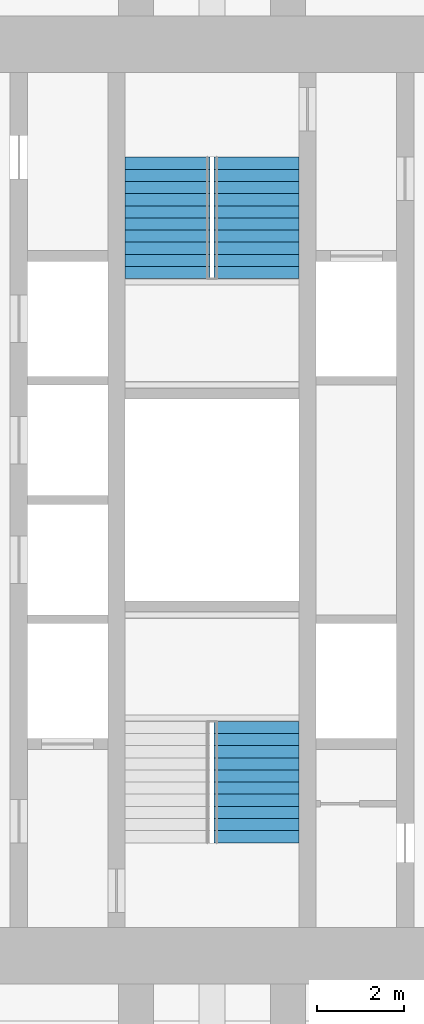
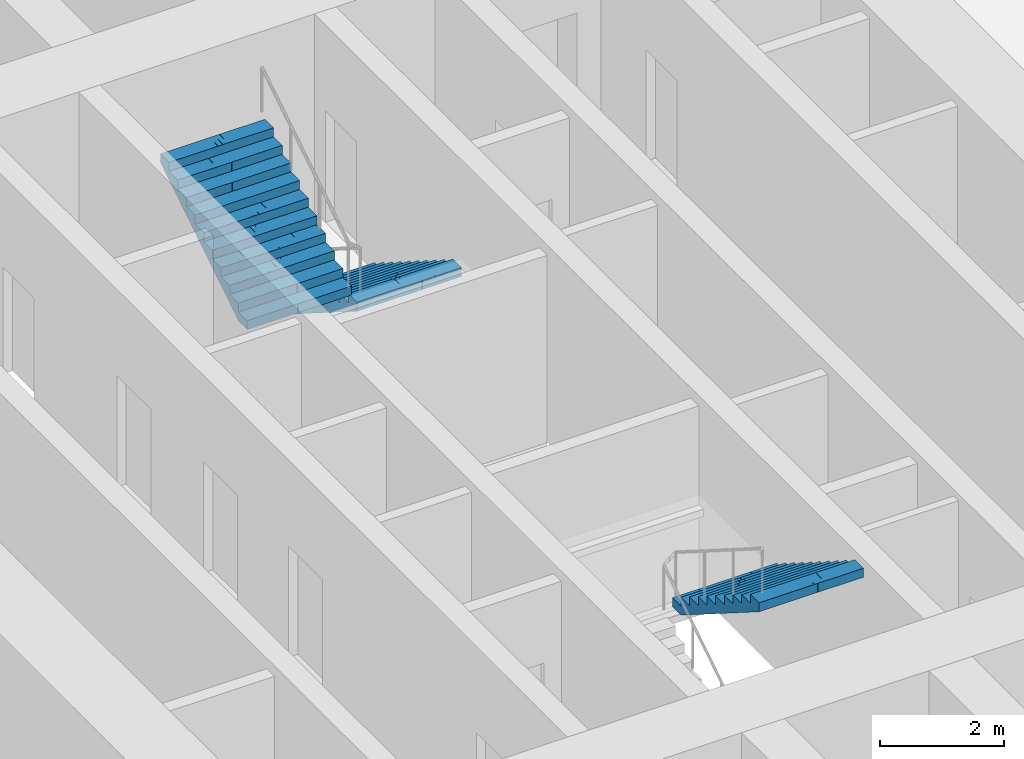
# One storey, part 18 of 19: 3 stair flights, 2 elements without a shape of their own.
"""IFC4 building model written with IfcOpenShell, lengths in metres."""

from ifc_helpers import new_model, si_unit, direction, frame, origin, place, context, subcontext, project, spatial, polyline, outline, extrude, material, type_object, element, aggregate, save


model = new_model("IFC4")

# Units and contexts
model_context = context("Model", 3, precision=1e-05, world=origin(), true_north=direction((0.0, 1.0)))
body_context = subcontext(model_context, "Body", "Model", "MODEL_VIEW")
ifc_project = project(units=[si_unit("LENGTHUNIT", "METRE"), si_unit("AREAUNIT", "SQUARE_METRE"), si_unit("VOLUMEUNIT", "CUBIC_METRE"), si_unit("PLANEANGLEUNIT", "RADIAN"), si_unit("MASSUNIT", "GRAM", prefix="KILO")], contexts=[model_context])

# Site, building, storey
site_placement = place(None, origin())
site = spatial("IfcSite", under=ifc_project, at=site_placement, CompositionType="ELEMENT")
building_placement = place(site_placement, origin())
building = spatial("IfcBuilding", under=site, at=building_placement, Name="Mizan Broadcast Tower", CompositionType="ELEMENT")
storey_placement = place(building_placement, frame((0.0, 0.0, 186.60009765625)))
storey = spatial("IfcBuildingStorey", under=building, at=storey_placement, Name="L43", CompositionType="ELEMENT", Elevation=186.60009765625)

# Stair, stair flight
ifc_material_1 = material(Name="Concrete C40/50", Category="concrete")
stair_type = type_object("IfcStairType", Name="EXIT STAIR", PredefinedType="HALF_TURN_STAIR", material=ifc_material_1)
stair_1_placement = place(storey_placement, origin())
stair_1 = element("IfcStair", 1, at=stair_1_placement, inside=storey, type_object=stair_type, Name="Stair A L43", PredefinedType="HALF_TURN_STAIR")
ifc_material_2 = material(Name="Concrete C40/50", Category="concrete")
stair_flight_type = type_object("IfcStairFlightType", Name="EXIT STAIR FLIGHT", PredefinedType="STRAIGHT", material=ifc_material_2)
stair_flight_1_placement = place(storey_placement, frame((1.02490234375, -5.10009765625, 1.949951171875), z_axis=(0.0, 0.0, 1.0), x_axis=(0.0, -1.0, 0.0)))
stair_flight_1 = element("IfcStairFlight", 2, at=stair_flight_1_placement, type_object=stair_flight_type, Name="A flight 2", NumberOfRisers=11, NumberOfTreads=10, PredefinedType="STRAIGHT", RiserHeight=0.177272727, TreadLength=0.28, context=body_context, shape_type="SweptSolid", body=[
    extrude(outline(polyline([(0.0, 0.0), (0.0, 0.17724609375), (0.280029296875, 0.17724609375), (0.280029296875, 0.3544921875), (0.56005859375, 0.3544921875), (0.56005859375, 0.53173828125), (0.840087890625, 0.53173828125), (0.840087890625, 0.708984375), (1.1201171875, 0.708984375), (1.1201171875, 0.886474609375), (1.39990234375, 0.886474609375), (1.39990234375, 1.063720703125), (1.679931640625, 1.063720703125), (1.679931640625, 1.240966796875), (1.9599609375, 1.240966796875), (1.9599609375, 1.418212890625), (2.239990234375, 1.418212890625), (2.239990234375, 1.595458984375), (2.52001953125, 1.595458984375), (2.52001953125, 1.772705078125), (2.800048828125, 1.772705078125), (2.800048828125, 1.949951171875), (2.800048828125, 1.59521484375), (0.2802734375, 0.0), (0.0, 0.0)])), frame((0.0, 0.97509765625, 0.0), z_axis=(0.0, -1.0, 0.0), x_axis=(1.0, 0.0, 0.0)), (0.0, 0.0, 1.0), 0.4873046875),
    extrude(outline(polyline([(0.0, 0.0), (0.0, 0.17724609375), (0.280029296875, 0.17724609375), (0.280029296875, 0.3544921875), (0.56005859375, 0.3544921875), (0.56005859375, 0.53173828125), (0.840087890625, 0.53173828125), (0.840087890625, 0.708984375), (1.1201171875, 0.708984375), (1.1201171875, 0.886474609375), (1.39990234375, 0.886474609375), (1.39990234375, 1.063720703125), (1.679931640625, 1.063720703125), (1.679931640625, 1.240966796875), (1.9599609375, 1.240966796875), (1.9599609375, 1.418212890625), (2.239990234375, 1.418212890625), (2.239990234375, 1.595458984375), (2.52001953125, 1.595458984375), (2.52001953125, 1.772705078125), (2.800048828125, 1.772705078125), (2.800048828125, 1.949951171875), (2.800048828125, 1.59521484375), (0.2802734375, 0.0), (0.0, 0.0)])), frame((0.0, 0.4873046875, 0.0), z_axis=(0.0, -1.0, 0.0), x_axis=(1.0, 0.0, 0.0)), (0.0, 0.0, 1.0), 0.2431640625),
    extrude(outline(polyline([(0.0, 0.0), (0.0, 0.17724609375), (0.280029296875, 0.17724609375), (0.280029296875, 0.3544921875), (0.56005859375, 0.3544921875), (0.56005859375, 0.53173828125), (0.840087890625, 0.53173828125), (0.840087890625, 0.708984375), (1.1201171875, 0.708984375), (1.1201171875, 0.886474609375), (1.39990234375, 0.886474609375), (1.39990234375, 1.063720703125), (1.679931640625, 1.063720703125), (1.679931640625, 1.240966796875), (1.9599609375, 1.240966796875), (1.9599609375, 1.418212890625), (2.239990234375, 1.418212890625), (2.239990234375, 1.595458984375), (2.52001953125, 1.595458984375), (2.52001953125, 1.772705078125), (2.800048828125, 1.772705078125), (2.800048828125, 1.949951171875), (2.800048828125, 1.59521484375), (0.2802734375, 0.0), (0.0, 0.0)])), frame((0.0, 0.24365234375, 0.0), z_axis=(0.0, -1.0, 0.0), x_axis=(1.0, 0.0, 0.0)), (0.0, 0.0, 1.0), 0.121337890625),
    extrude(outline(polyline([(0.0, 0.0), (0.0, 0.17724609375), (0.280029296875, 0.17724609375), (0.280029296875, 0.3544921875), (0.56005859375, 0.3544921875), (0.56005859375, 0.53173828125), (0.840087890625, 0.53173828125), (0.840087890625, 0.708984375), (1.1201171875, 0.708984375), (1.1201171875, 0.886474609375), (1.39990234375, 0.886474609375), (1.39990234375, 1.063720703125), (1.679931640625, 1.063720703125), (1.679931640625, 1.240966796875), (1.9599609375, 1.240966796875), (1.9599609375, 1.418212890625), (2.239990234375, 1.418212890625), (2.239990234375, 1.595458984375), (2.52001953125, 1.595458984375), (2.52001953125, 1.772705078125), (2.800048828125, 1.772705078125), (2.800048828125, 1.949951171875), (2.800048828125, 1.59521484375), (0.2802734375, 0.0), (0.0, 0.0)])), frame((0.0, 0.121826171875, 0.0), z_axis=(0.0, -1.0, 0.0), x_axis=(1.0, 0.0, 0.0)), (0.0, 0.0, 1.0), 0.060546875),
    extrude(outline(polyline([(0.0, 0.0), (0.0, 0.17724609375), (0.280029296875, 0.17724609375), (0.280029296875, 0.3544921875), (0.56005859375, 0.3544921875), (0.56005859375, 0.53173828125), (0.840087890625, 0.53173828125), (0.840087890625, 0.708984375), (1.1201171875, 0.708984375), (1.1201171875, 0.886474609375), (1.39990234375, 0.886474609375), (1.39990234375, 1.063720703125), (1.679931640625, 1.063720703125), (1.679931640625, 1.240966796875), (1.9599609375, 1.240966796875), (1.9599609375, 1.418212890625), (2.239990234375, 1.418212890625), (2.239990234375, 1.595458984375), (2.52001953125, 1.595458984375), (2.52001953125, 1.772705078125), (2.800048828125, 1.772705078125), (2.800048828125, 1.949951171875), (2.800048828125, 1.59521484375), (0.2802734375, 0.0), (0.0, 0.0)])), frame((0.0, 0.060791015625, 0.0), z_axis=(0.0, -1.0, 0.0), x_axis=(1.0, 0.0, 0.0)), (0.0, 0.0, 1.0), 0.030029296875),
    extrude(outline(polyline([(0.0, 0.0), (0.0, 0.17724609375), (0.280029296875, 0.17724609375), (0.280029296875, 0.3544921875), (0.56005859375, 0.3544921875), (0.56005859375, 0.53173828125), (0.840087890625, 0.53173828125), (0.840087890625, 0.708984375), (1.1201171875, 0.708984375), (1.1201171875, 0.886474609375), (1.39990234375, 0.886474609375), (1.39990234375, 1.063720703125), (1.679931640625, 1.063720703125), (1.679931640625, 1.240966796875), (1.9599609375, 1.240966796875), (1.9599609375, 1.418212890625), (2.239990234375, 1.418212890625), (2.239990234375, 1.595458984375), (2.52001953125, 1.595458984375), (2.52001953125, 1.772705078125), (2.800048828125, 1.772705078125), (2.800048828125, 1.949951171875), (2.800048828125, 1.59521484375), (0.2802734375, 0.0), (0.0, 0.0)])), frame((0.0, 0.0302734375, 0.0), z_axis=(0.0, -1.0, 0.0), x_axis=(1.0, 0.0, 0.0)), (0.0, 0.0, 1.0), 0.060302734375),
    extrude(outline(polyline([(0.0, 0.0), (0.0, 0.17724609375), (0.280029296875, 0.17724609375), (0.280029296875, 0.3544921875), (0.56005859375, 0.3544921875), (0.56005859375, 0.53173828125), (0.840087890625, 0.53173828125), (0.840087890625, 0.708984375), (1.1201171875, 0.708984375), (1.1201171875, 0.886474609375), (1.39990234375, 0.886474609375), (1.39990234375, 1.063720703125), (1.679931640625, 1.063720703125), (1.679931640625, 1.240966796875), (1.9599609375, 1.240966796875), (1.9599609375, 1.418212890625), (2.239990234375, 1.418212890625), (2.239990234375, 1.595458984375), (2.52001953125, 1.595458984375), (2.52001953125, 1.772705078125), (2.800048828125, 1.772705078125), (2.800048828125, 1.949951171875), (2.800048828125, 1.59521484375), (0.2802734375, 0.0), (0.0, 0.0)])), frame((0.0, -0.030517578125, 0.0), z_axis=(0.0, -1.0, 0.0), x_axis=(1.0, 0.0, 0.0)), (0.0, 0.0, 1.0), 0.030029296875),
    extrude(outline(polyline([(0.0, 0.0), (0.0, 0.17724609375), (0.280029296875, 0.17724609375), (0.280029296875, 0.3544921875), (0.56005859375, 0.3544921875), (0.56005859375, 0.53173828125), (0.840087890625, 0.53173828125), (0.840087890625, 0.708984375), (1.1201171875, 0.708984375), (1.1201171875, 0.886474609375), (1.39990234375, 0.886474609375), (1.39990234375, 1.063720703125), (1.679931640625, 1.063720703125), (1.679931640625, 1.240966796875), (1.9599609375, 1.240966796875), (1.9599609375, 1.418212890625), (2.239990234375, 1.418212890625), (2.239990234375, 1.595458984375), (2.52001953125, 1.595458984375), (2.52001953125, 1.772705078125), (2.800048828125, 1.772705078125), (2.800048828125, 1.949951171875), (2.800048828125, 1.59521484375), (0.2802734375, 0.0), (0.0, 0.0)])), frame((0.0, -0.06103515625, 0.0), z_axis=(0.0, -1.0, 0.0), x_axis=(1.0, 0.0, 0.0)), (0.0, 0.0, 1.0), 0.060546875),
    extrude(outline(polyline([(0.0, 0.0), (0.0, 0.17724609375), (0.280029296875, 0.17724609375), (0.280029296875, 0.3544921875), (0.56005859375, 0.3544921875), (0.56005859375, 0.53173828125), (0.840087890625, 0.53173828125), (0.840087890625, 0.708984375), (1.1201171875, 0.708984375), (1.1201171875, 0.886474609375), (1.39990234375, 0.886474609375), (1.39990234375, 1.063720703125), (1.679931640625, 1.063720703125), (1.679931640625, 1.240966796875), (1.9599609375, 1.240966796875), (1.9599609375, 1.418212890625), (2.239990234375, 1.418212890625), (2.239990234375, 1.595458984375), (2.52001953125, 1.595458984375), (2.52001953125, 1.772705078125), (2.800048828125, 1.772705078125), (2.800048828125, 1.949951171875), (2.800048828125, 1.59521484375), (0.2802734375, 0.0), (0.0, 0.0)])), frame((0.0, -0.1220703125, 0.0), z_axis=(0.0, -1.0, 0.0), x_axis=(1.0, 0.0, 0.0)), (0.0, 0.0, 1.0), 0.121337890625),
    extrude(outline(polyline([(0.0, 0.0), (0.0, 0.17724609375), (0.280029296875, 0.17724609375), (0.280029296875, 0.3544921875), (0.56005859375, 0.3544921875), (0.56005859375, 0.53173828125), (0.840087890625, 0.53173828125), (0.840087890625, 0.708984375), (1.1201171875, 0.708984375), (1.1201171875, 0.886474609375), (1.39990234375, 0.886474609375), (1.39990234375, 1.063720703125), (1.679931640625, 1.063720703125), (1.679931640625, 1.240966796875), (1.9599609375, 1.240966796875), (1.9599609375, 1.418212890625), (2.239990234375, 1.418212890625), (2.239990234375, 1.595458984375), (2.52001953125, 1.595458984375), (2.52001953125, 1.772705078125), (2.800048828125, 1.772705078125), (2.800048828125, 1.949951171875), (2.800048828125, 1.59521484375), (0.2802734375, 0.0), (0.0, 0.0)])), frame((0.0, -0.243896484375, 0.0), z_axis=(0.0, -1.0, 0.0), x_axis=(1.0, 0.0, 0.0)), (0.0, 0.0, 1.0), 0.2431640625),
    extrude(outline(polyline([(0.0, 0.0), (0.0, 0.17724609375), (0.280029296875, 0.17724609375), (0.280029296875, 0.3544921875), (0.56005859375, 0.3544921875), (0.56005859375, 0.53173828125), (0.840087890625, 0.53173828125), (0.840087890625, 0.708984375), (1.1201171875, 0.708984375), (1.1201171875, 0.886474609375), (1.39990234375, 0.886474609375), (1.39990234375, 1.063720703125), (1.679931640625, 1.063720703125), (1.679931640625, 1.240966796875), (1.9599609375, 1.240966796875), (1.9599609375, 1.418212890625), (2.239990234375, 1.418212890625), (2.239990234375, 1.595458984375), (2.52001953125, 1.595458984375), (2.52001953125, 1.772705078125), (2.800048828125, 1.772705078125), (2.800048828125, 1.949951171875), (2.800048828125, 1.59521484375), (0.2802734375, 0.0), (0.0, 0.0)])), frame((0.0, -0.487548828125, 0.0), z_axis=(0.0, -1.0, 0.0), x_axis=(1.0, 0.0, 0.0)), (0.0, 0.0, 1.0), 0.4873046875),
])
aggregate(stair_1, [stair_flight_1])

# Stair, stair flights
stair_2_placement = place(storey_placement, origin())
stair_2 = element("IfcStair", 3, at=stair_2_placement, inside=storey, type_object=stair_type, Name="Stair B L43", PredefinedType="HALF_TURN_STAIR")
stair_flight_2_placement = place(storey_placement, frame((1.02490234375, 7.89990234375, 0.0), z_axis=(0.0, 0.0, 1.0), x_axis=(0.0, -1.0, 0.0)))
stair_flight_2 = element("IfcStairFlight", 4, at=stair_flight_2_placement, type_object=stair_flight_type, Name="B flight 1", NumberOfRisers=11, NumberOfTreads=10, PredefinedType="STRAIGHT", RiserHeight=0.177272727, TreadLength=0.28, context=body_context, shape_type="SweptSolid", body=[
    extrude(outline(polyline([(0.0, 0.0), (0.0, 0.17724609375), (0.280029296875, 0.17724609375), (0.280029296875, 0.3544921875), (0.56005859375, 0.3544921875), (0.56005859375, 0.53173828125), (0.840087890625, 0.53173828125), (0.840087890625, 0.708984375), (1.1201171875, 0.708984375), (1.1201171875, 0.886474609375), (1.39990234375, 0.886474609375), (1.39990234375, 1.063720703125), (1.679931640625, 1.063720703125), (1.679931640625, 1.240966796875), (1.9599609375, 1.240966796875), (1.9599609375, 1.418212890625), (2.239990234375, 1.418212890625), (2.239990234375, 1.595458984375), (2.52001953125, 1.595458984375), (2.52001953125, 1.772705078125), (2.800048828125, 1.772705078125), (2.800048828125, 1.949951171875), (2.800048828125, 1.59521484375), (0.2802734375, 0.0), (0.0, 0.0)])), frame((0.0, 0.97509765625, 0.0), z_axis=(0.0, -1.0, 0.0), x_axis=(1.0, 0.0, 0.0)), (0.0, 0.0, 1.0), 0.4873046875),
    extrude(outline(polyline([(0.0, 0.0), (0.0, 0.17724609375), (0.280029296875, 0.17724609375), (0.280029296875, 0.3544921875), (0.56005859375, 0.3544921875), (0.56005859375, 0.53173828125), (0.840087890625, 0.53173828125), (0.840087890625, 0.708984375), (1.1201171875, 0.708984375), (1.1201171875, 0.886474609375), (1.39990234375, 0.886474609375), (1.39990234375, 1.063720703125), (1.679931640625, 1.063720703125), (1.679931640625, 1.240966796875), (1.9599609375, 1.240966796875), (1.9599609375, 1.418212890625), (2.239990234375, 1.418212890625), (2.239990234375, 1.595458984375), (2.52001953125, 1.595458984375), (2.52001953125, 1.772705078125), (2.800048828125, 1.772705078125), (2.800048828125, 1.949951171875), (2.800048828125, 1.59521484375), (0.2802734375, 0.0), (0.0, 0.0)])), frame((0.0, 0.4873046875, 0.0), z_axis=(0.0, -1.0, 0.0), x_axis=(1.0, 0.0, 0.0)), (0.0, 0.0, 1.0), 0.2431640625),
    extrude(outline(polyline([(0.0, 0.0), (0.0, 0.17724609375), (0.280029296875, 0.17724609375), (0.280029296875, 0.3544921875), (0.56005859375, 0.3544921875), (0.56005859375, 0.53173828125), (0.840087890625, 0.53173828125), (0.840087890625, 0.708984375), (1.1201171875, 0.708984375), (1.1201171875, 0.886474609375), (1.39990234375, 0.886474609375), (1.39990234375, 1.063720703125), (1.679931640625, 1.063720703125), (1.679931640625, 1.240966796875), (1.9599609375, 1.240966796875), (1.9599609375, 1.418212890625), (2.239990234375, 1.418212890625), (2.239990234375, 1.595458984375), (2.52001953125, 1.595458984375), (2.52001953125, 1.772705078125), (2.800048828125, 1.772705078125), (2.800048828125, 1.949951171875), (2.800048828125, 1.59521484375), (0.2802734375, 0.0), (0.0, 0.0)])), frame((0.0, 0.24365234375, 0.0), z_axis=(0.0, -1.0, 0.0), x_axis=(1.0, 0.0, 0.0)), (0.0, 0.0, 1.0), 0.121337890625),
    extrude(outline(polyline([(0.0, 0.0), (0.0, 0.17724609375), (0.280029296875, 0.17724609375), (0.280029296875, 0.3544921875), (0.56005859375, 0.3544921875), (0.56005859375, 0.53173828125), (0.840087890625, 0.53173828125), (0.840087890625, 0.708984375), (1.1201171875, 0.708984375), (1.1201171875, 0.886474609375), (1.39990234375, 0.886474609375), (1.39990234375, 1.063720703125), (1.679931640625, 1.063720703125), (1.679931640625, 1.240966796875), (1.9599609375, 1.240966796875), (1.9599609375, 1.418212890625), (2.239990234375, 1.418212890625), (2.239990234375, 1.595458984375), (2.52001953125, 1.595458984375), (2.52001953125, 1.772705078125), (2.800048828125, 1.772705078125), (2.800048828125, 1.949951171875), (2.800048828125, 1.59521484375), (0.2802734375, 0.0), (0.0, 0.0)])), frame((0.0, 0.121826171875, 0.0), z_axis=(0.0, -1.0, 0.0), x_axis=(1.0, 0.0, 0.0)), (0.0, 0.0, 1.0), 0.060546875),
    extrude(outline(polyline([(0.0, 0.0), (0.0, 0.17724609375), (0.280029296875, 0.17724609375), (0.280029296875, 0.3544921875), (0.56005859375, 0.3544921875), (0.56005859375, 0.53173828125), (0.840087890625, 0.53173828125), (0.840087890625, 0.708984375), (1.1201171875, 0.708984375), (1.1201171875, 0.886474609375), (1.39990234375, 0.886474609375), (1.39990234375, 1.063720703125), (1.679931640625, 1.063720703125), (1.679931640625, 1.240966796875), (1.9599609375, 1.240966796875), (1.9599609375, 1.418212890625), (2.239990234375, 1.418212890625), (2.239990234375, 1.595458984375), (2.52001953125, 1.595458984375), (2.52001953125, 1.772705078125), (2.800048828125, 1.772705078125), (2.800048828125, 1.949951171875), (2.800048828125, 1.59521484375), (0.2802734375, 0.0), (0.0, 0.0)])), frame((0.0, 0.060791015625, 0.0), z_axis=(0.0, -1.0, 0.0), x_axis=(1.0, 0.0, 0.0)), (0.0, 0.0, 1.0), 0.030029296875),
    extrude(outline(polyline([(0.0, 0.0), (0.0, 0.17724609375), (0.280029296875, 0.17724609375), (0.280029296875, 0.3544921875), (0.56005859375, 0.3544921875), (0.56005859375, 0.53173828125), (0.840087890625, 0.53173828125), (0.840087890625, 0.708984375), (1.1201171875, 0.708984375), (1.1201171875, 0.886474609375), (1.39990234375, 0.886474609375), (1.39990234375, 1.063720703125), (1.679931640625, 1.063720703125), (1.679931640625, 1.240966796875), (1.9599609375, 1.240966796875), (1.9599609375, 1.418212890625), (2.239990234375, 1.418212890625), (2.239990234375, 1.595458984375), (2.52001953125, 1.595458984375), (2.52001953125, 1.772705078125), (2.800048828125, 1.772705078125), (2.800048828125, 1.949951171875), (2.800048828125, 1.59521484375), (0.2802734375, 0.0), (0.0, 0.0)])), frame((0.0, 0.0302734375, 0.0), z_axis=(0.0, -1.0, 0.0), x_axis=(1.0, 0.0, 0.0)), (0.0, 0.0, 1.0), 0.060302734375),
    extrude(outline(polyline([(0.0, 0.0), (0.0, 0.17724609375), (0.280029296875, 0.17724609375), (0.280029296875, 0.3544921875), (0.56005859375, 0.3544921875), (0.56005859375, 0.53173828125), (0.840087890625, 0.53173828125), (0.840087890625, 0.708984375), (1.1201171875, 0.708984375), (1.1201171875, 0.886474609375), (1.39990234375, 0.886474609375), (1.39990234375, 1.063720703125), (1.679931640625, 1.063720703125), (1.679931640625, 1.240966796875), (1.9599609375, 1.240966796875), (1.9599609375, 1.418212890625), (2.239990234375, 1.418212890625), (2.239990234375, 1.595458984375), (2.52001953125, 1.595458984375), (2.52001953125, 1.772705078125), (2.800048828125, 1.772705078125), (2.800048828125, 1.949951171875), (2.800048828125, 1.59521484375), (0.2802734375, 0.0), (0.0, 0.0)])), frame((0.0, -0.030517578125, 0.0), z_axis=(0.0, -1.0, 0.0), x_axis=(1.0, 0.0, 0.0)), (0.0, 0.0, 1.0), 0.030029296875),
    extrude(outline(polyline([(0.0, 0.0), (0.0, 0.17724609375), (0.280029296875, 0.17724609375), (0.280029296875, 0.3544921875), (0.56005859375, 0.3544921875), (0.56005859375, 0.53173828125), (0.840087890625, 0.53173828125), (0.840087890625, 0.708984375), (1.1201171875, 0.708984375), (1.1201171875, 0.886474609375), (1.39990234375, 0.886474609375), (1.39990234375, 1.063720703125), (1.679931640625, 1.063720703125), (1.679931640625, 1.240966796875), (1.9599609375, 1.240966796875), (1.9599609375, 1.418212890625), (2.239990234375, 1.418212890625), (2.239990234375, 1.595458984375), (2.52001953125, 1.595458984375), (2.52001953125, 1.772705078125), (2.800048828125, 1.772705078125), (2.800048828125, 1.949951171875), (2.800048828125, 1.59521484375), (0.2802734375, 0.0), (0.0, 0.0)])), frame((0.0, -0.06103515625, 0.0), z_axis=(0.0, -1.0, 0.0), x_axis=(1.0, 0.0, 0.0)), (0.0, 0.0, 1.0), 0.060546875),
    extrude(outline(polyline([(0.0, 0.0), (0.0, 0.17724609375), (0.280029296875, 0.17724609375), (0.280029296875, 0.3544921875), (0.56005859375, 0.3544921875), (0.56005859375, 0.53173828125), (0.840087890625, 0.53173828125), (0.840087890625, 0.708984375), (1.1201171875, 0.708984375), (1.1201171875, 0.886474609375), (1.39990234375, 0.886474609375), (1.39990234375, 1.063720703125), (1.679931640625, 1.063720703125), (1.679931640625, 1.240966796875), (1.9599609375, 1.240966796875), (1.9599609375, 1.418212890625), (2.239990234375, 1.418212890625), (2.239990234375, 1.595458984375), (2.52001953125, 1.595458984375), (2.52001953125, 1.772705078125), (2.800048828125, 1.772705078125), (2.800048828125, 1.949951171875), (2.800048828125, 1.59521484375), (0.2802734375, 0.0), (0.0, 0.0)])), frame((0.0, -0.1220703125, 0.0), z_axis=(0.0, -1.0, 0.0), x_axis=(1.0, 0.0, 0.0)), (0.0, 0.0, 1.0), 0.121337890625),
    extrude(outline(polyline([(0.0, 0.0), (0.0, 0.17724609375), (0.280029296875, 0.17724609375), (0.280029296875, 0.3544921875), (0.56005859375, 0.3544921875), (0.56005859375, 0.53173828125), (0.840087890625, 0.53173828125), (0.840087890625, 0.708984375), (1.1201171875, 0.708984375), (1.1201171875, 0.886474609375), (1.39990234375, 0.886474609375), (1.39990234375, 1.063720703125), (1.679931640625, 1.063720703125), (1.679931640625, 1.240966796875), (1.9599609375, 1.240966796875), (1.9599609375, 1.418212890625), (2.239990234375, 1.418212890625), (2.239990234375, 1.595458984375), (2.52001953125, 1.595458984375), (2.52001953125, 1.772705078125), (2.800048828125, 1.772705078125), (2.800048828125, 1.949951171875), (2.800048828125, 1.59521484375), (0.2802734375, 0.0), (0.0, 0.0)])), frame((0.0, -0.243896484375, 0.0), z_axis=(0.0, -1.0, 0.0), x_axis=(1.0, 0.0, 0.0)), (0.0, 0.0, 1.0), 0.2431640625),
    extrude(outline(polyline([(0.0, 0.0), (0.0, 0.17724609375), (0.280029296875, 0.17724609375), (0.280029296875, 0.3544921875), (0.56005859375, 0.3544921875), (0.56005859375, 0.53173828125), (0.840087890625, 0.53173828125), (0.840087890625, 0.708984375), (1.1201171875, 0.708984375), (1.1201171875, 0.886474609375), (1.39990234375, 0.886474609375), (1.39990234375, 1.063720703125), (1.679931640625, 1.063720703125), (1.679931640625, 1.240966796875), (1.9599609375, 1.240966796875), (1.9599609375, 1.418212890625), (2.239990234375, 1.418212890625), (2.239990234375, 1.595458984375), (2.52001953125, 1.595458984375), (2.52001953125, 1.772705078125), (2.800048828125, 1.772705078125), (2.800048828125, 1.949951171875), (2.800048828125, 1.59521484375), (0.2802734375, 0.0), (0.0, 0.0)])), frame((0.0, -0.487548828125, 0.0), z_axis=(0.0, -1.0, 0.0), x_axis=(1.0, 0.0, 0.0)), (0.0, 0.0, 1.0), 0.4873046875),
])
stair_flight_3_placement = place(storey_placement, frame((-1.02490234375, 5.10009765625, 1.949951171875), z_axis=(0.0, 0.0, 1.0), x_axis=(0.0, 1.0, 0.0)))
stair_flight_3 = element("IfcStairFlight", 5, at=stair_flight_3_placement, type_object=stair_flight_type, Name="B flight 2", NumberOfRisers=11, NumberOfTreads=10, PredefinedType="STRAIGHT", RiserHeight=0.177272727, TreadLength=0.28, context=body_context, shape_type="SweptSolid", body=[
    extrude(outline(polyline([(0.0, 0.0), (0.0, 0.17724609375), (0.280029296875, 0.17724609375), (0.280029296875, 0.3544921875), (0.56005859375, 0.3544921875), (0.56005859375, 0.53173828125), (0.840087890625, 0.53173828125), (0.840087890625, 0.708984375), (1.1201171875, 0.708984375), (1.1201171875, 0.886474609375), (1.39990234375, 0.886474609375), (1.39990234375, 1.063720703125), (1.679931640625, 1.063720703125), (1.679931640625, 1.240966796875), (1.9599609375, 1.240966796875), (1.9599609375, 1.418212890625), (2.239990234375, 1.418212890625), (2.239990234375, 1.595458984375), (2.52001953125, 1.595458984375), (2.52001953125, 1.772705078125), (2.800048828125, 1.772705078125), (2.800048828125, 1.949951171875), (2.800048828125, 1.59521484375), (0.2802734375, 0.0), (0.0, 0.0)])), frame((0.0, 0.97509765625, 0.0), z_axis=(0.0, -1.0, 0.0), x_axis=(1.0, 0.0, 0.0)), (0.0, 0.0, 1.0), 0.4873046875),
    extrude(outline(polyline([(0.0, 0.0), (0.0, 0.17724609375), (0.280029296875, 0.17724609375), (0.280029296875, 0.3544921875), (0.56005859375, 0.3544921875), (0.56005859375, 0.53173828125), (0.840087890625, 0.53173828125), (0.840087890625, 0.708984375), (1.1201171875, 0.708984375), (1.1201171875, 0.886474609375), (1.39990234375, 0.886474609375), (1.39990234375, 1.063720703125), (1.679931640625, 1.063720703125), (1.679931640625, 1.240966796875), (1.9599609375, 1.240966796875), (1.9599609375, 1.418212890625), (2.239990234375, 1.418212890625), (2.239990234375, 1.595458984375), (2.52001953125, 1.595458984375), (2.52001953125, 1.772705078125), (2.800048828125, 1.772705078125), (2.800048828125, 1.949951171875), (2.800048828125, 1.59521484375), (0.2802734375, 0.0), (0.0, 0.0)])), frame((0.0, 0.4873046875, 0.0), z_axis=(0.0, -1.0, 0.0), x_axis=(1.0, 0.0, 0.0)), (0.0, 0.0, 1.0), 0.2431640625),
    extrude(outline(polyline([(0.0, 0.0), (0.0, 0.17724609375), (0.280029296875, 0.17724609375), (0.280029296875, 0.3544921875), (0.56005859375, 0.3544921875), (0.56005859375, 0.53173828125), (0.840087890625, 0.53173828125), (0.840087890625, 0.708984375), (1.1201171875, 0.708984375), (1.1201171875, 0.886474609375), (1.39990234375, 0.886474609375), (1.39990234375, 1.063720703125), (1.679931640625, 1.063720703125), (1.679931640625, 1.240966796875), (1.9599609375, 1.240966796875), (1.9599609375, 1.418212890625), (2.239990234375, 1.418212890625), (2.239990234375, 1.595458984375), (2.52001953125, 1.595458984375), (2.52001953125, 1.772705078125), (2.800048828125, 1.772705078125), (2.800048828125, 1.949951171875), (2.800048828125, 1.59521484375), (0.2802734375, 0.0), (0.0, 0.0)])), frame((0.0, 0.24365234375, 0.0), z_axis=(0.0, -1.0, 0.0), x_axis=(1.0, 0.0, 0.0)), (0.0, 0.0, 1.0), 0.121337890625),
    extrude(outline(polyline([(0.0, 0.0), (0.0, 0.17724609375), (0.280029296875, 0.17724609375), (0.280029296875, 0.3544921875), (0.56005859375, 0.3544921875), (0.56005859375, 0.53173828125), (0.840087890625, 0.53173828125), (0.840087890625, 0.708984375), (1.1201171875, 0.708984375), (1.1201171875, 0.886474609375), (1.39990234375, 0.886474609375), (1.39990234375, 1.063720703125), (1.679931640625, 1.063720703125), (1.679931640625, 1.240966796875), (1.9599609375, 1.240966796875), (1.9599609375, 1.418212890625), (2.239990234375, 1.418212890625), (2.239990234375, 1.595458984375), (2.52001953125, 1.595458984375), (2.52001953125, 1.772705078125), (2.800048828125, 1.772705078125), (2.800048828125, 1.949951171875), (2.800048828125, 1.59521484375), (0.2802734375, 0.0), (0.0, 0.0)])), frame((0.0, 0.121826171875, 0.0), z_axis=(0.0, -1.0, 0.0), x_axis=(1.0, 0.0, 0.0)), (0.0, 0.0, 1.0), 0.060546875),
    extrude(outline(polyline([(0.0, 0.0), (0.0, 0.17724609375), (0.280029296875, 0.17724609375), (0.280029296875, 0.3544921875), (0.56005859375, 0.3544921875), (0.56005859375, 0.53173828125), (0.840087890625, 0.53173828125), (0.840087890625, 0.708984375), (1.1201171875, 0.708984375), (1.1201171875, 0.886474609375), (1.39990234375, 0.886474609375), (1.39990234375, 1.063720703125), (1.679931640625, 1.063720703125), (1.679931640625, 1.240966796875), (1.9599609375, 1.240966796875), (1.9599609375, 1.418212890625), (2.239990234375, 1.418212890625), (2.239990234375, 1.595458984375), (2.52001953125, 1.595458984375), (2.52001953125, 1.772705078125), (2.800048828125, 1.772705078125), (2.800048828125, 1.949951171875), (2.800048828125, 1.59521484375), (0.2802734375, 0.0), (0.0, 0.0)])), frame((0.0, 0.060791015625, 0.0), z_axis=(0.0, -1.0, 0.0), x_axis=(1.0, 0.0, 0.0)), (0.0, 0.0, 1.0), 0.030029296875),
    extrude(outline(polyline([(0.0, 0.0), (0.0, 0.17724609375), (0.280029296875, 0.17724609375), (0.280029296875, 0.3544921875), (0.56005859375, 0.3544921875), (0.56005859375, 0.53173828125), (0.840087890625, 0.53173828125), (0.840087890625, 0.708984375), (1.1201171875, 0.708984375), (1.1201171875, 0.886474609375), (1.39990234375, 0.886474609375), (1.39990234375, 1.063720703125), (1.679931640625, 1.063720703125), (1.679931640625, 1.240966796875), (1.9599609375, 1.240966796875), (1.9599609375, 1.418212890625), (2.239990234375, 1.418212890625), (2.239990234375, 1.595458984375), (2.52001953125, 1.595458984375), (2.52001953125, 1.772705078125), (2.800048828125, 1.772705078125), (2.800048828125, 1.949951171875), (2.800048828125, 1.59521484375), (0.2802734375, 0.0), (0.0, 0.0)])), frame((0.0, 0.0302734375, 0.0), z_axis=(0.0, -1.0, 0.0), x_axis=(1.0, 0.0, 0.0)), (0.0, 0.0, 1.0), 0.060302734375),
    extrude(outline(polyline([(0.0, 0.0), (0.0, 0.17724609375), (0.280029296875, 0.17724609375), (0.280029296875, 0.3544921875), (0.56005859375, 0.3544921875), (0.56005859375, 0.53173828125), (0.840087890625, 0.53173828125), (0.840087890625, 0.708984375), (1.1201171875, 0.708984375), (1.1201171875, 0.886474609375), (1.39990234375, 0.886474609375), (1.39990234375, 1.063720703125), (1.679931640625, 1.063720703125), (1.679931640625, 1.240966796875), (1.9599609375, 1.240966796875), (1.9599609375, 1.418212890625), (2.239990234375, 1.418212890625), (2.239990234375, 1.595458984375), (2.52001953125, 1.595458984375), (2.52001953125, 1.772705078125), (2.800048828125, 1.772705078125), (2.800048828125, 1.949951171875), (2.800048828125, 1.59521484375), (0.2802734375, 0.0), (0.0, 0.0)])), frame((0.0, -0.030517578125, 0.0), z_axis=(0.0, -1.0, 0.0), x_axis=(1.0, 0.0, 0.0)), (0.0, 0.0, 1.0), 0.030029296875),
    extrude(outline(polyline([(0.0, 0.0), (0.0, 0.17724609375), (0.280029296875, 0.17724609375), (0.280029296875, 0.3544921875), (0.56005859375, 0.3544921875), (0.56005859375, 0.53173828125), (0.840087890625, 0.53173828125), (0.840087890625, 0.708984375), (1.1201171875, 0.708984375), (1.1201171875, 0.886474609375), (1.39990234375, 0.886474609375), (1.39990234375, 1.063720703125), (1.679931640625, 1.063720703125), (1.679931640625, 1.240966796875), (1.9599609375, 1.240966796875), (1.9599609375, 1.418212890625), (2.239990234375, 1.418212890625), (2.239990234375, 1.595458984375), (2.52001953125, 1.595458984375), (2.52001953125, 1.772705078125), (2.800048828125, 1.772705078125), (2.800048828125, 1.949951171875), (2.800048828125, 1.59521484375), (0.2802734375, 0.0), (0.0, 0.0)])), frame((0.0, -0.06103515625, 0.0), z_axis=(0.0, -1.0, 0.0), x_axis=(1.0, 0.0, 0.0)), (0.0, 0.0, 1.0), 0.060546875),
    extrude(outline(polyline([(0.0, 0.0), (0.0, 0.17724609375), (0.280029296875, 0.17724609375), (0.280029296875, 0.3544921875), (0.56005859375, 0.3544921875), (0.56005859375, 0.53173828125), (0.840087890625, 0.53173828125), (0.840087890625, 0.708984375), (1.1201171875, 0.708984375), (1.1201171875, 0.886474609375), (1.39990234375, 0.886474609375), (1.39990234375, 1.063720703125), (1.679931640625, 1.063720703125), (1.679931640625, 1.240966796875), (1.9599609375, 1.240966796875), (1.9599609375, 1.418212890625), (2.239990234375, 1.418212890625), (2.239990234375, 1.595458984375), (2.52001953125, 1.595458984375), (2.52001953125, 1.772705078125), (2.800048828125, 1.772705078125), (2.800048828125, 1.949951171875), (2.800048828125, 1.59521484375), (0.2802734375, 0.0), (0.0, 0.0)])), frame((0.0, -0.1220703125, 0.0), z_axis=(0.0, -1.0, 0.0), x_axis=(1.0, 0.0, 0.0)), (0.0, 0.0, 1.0), 0.121337890625),
    extrude(outline(polyline([(0.0, 0.0), (0.0, 0.17724609375), (0.280029296875, 0.17724609375), (0.280029296875, 0.3544921875), (0.56005859375, 0.3544921875), (0.56005859375, 0.53173828125), (0.840087890625, 0.53173828125), (0.840087890625, 0.708984375), (1.1201171875, 0.708984375), (1.1201171875, 0.886474609375), (1.39990234375, 0.886474609375), (1.39990234375, 1.063720703125), (1.679931640625, 1.063720703125), (1.679931640625, 1.240966796875), (1.9599609375, 1.240966796875), (1.9599609375, 1.418212890625), (2.239990234375, 1.418212890625), (2.239990234375, 1.595458984375), (2.52001953125, 1.595458984375), (2.52001953125, 1.772705078125), (2.800048828125, 1.772705078125), (2.800048828125, 1.949951171875), (2.800048828125, 1.59521484375), (0.2802734375, 0.0), (0.0, 0.0)])), frame((0.0, -0.243896484375, 0.0), z_axis=(0.0, -1.0, 0.0), x_axis=(1.0, 0.0, 0.0)), (0.0, 0.0, 1.0), 0.2431640625),
    extrude(outline(polyline([(0.0, 0.0), (0.0, 0.17724609375), (0.280029296875, 0.17724609375), (0.280029296875, 0.3544921875), (0.56005859375, 0.3544921875), (0.56005859375, 0.53173828125), (0.840087890625, 0.53173828125), (0.840087890625, 0.708984375), (1.1201171875, 0.708984375), (1.1201171875, 0.886474609375), (1.39990234375, 0.886474609375), (1.39990234375, 1.063720703125), (1.679931640625, 1.063720703125), (1.679931640625, 1.240966796875), (1.9599609375, 1.240966796875), (1.9599609375, 1.418212890625), (2.239990234375, 1.418212890625), (2.239990234375, 1.595458984375), (2.52001953125, 1.595458984375), (2.52001953125, 1.772705078125), (2.800048828125, 1.772705078125), (2.800048828125, 1.949951171875), (2.800048828125, 1.59521484375), (0.2802734375, 0.0), (0.0, 0.0)])), frame((0.0, -0.487548828125, 0.0), z_axis=(0.0, -1.0, 0.0), x_axis=(1.0, 0.0, 0.0)), (0.0, 0.0, 1.0), 0.4873046875),
])
aggregate(stair_2, [stair_flight_2, stair_flight_3])

save(model, "model.ifc")
